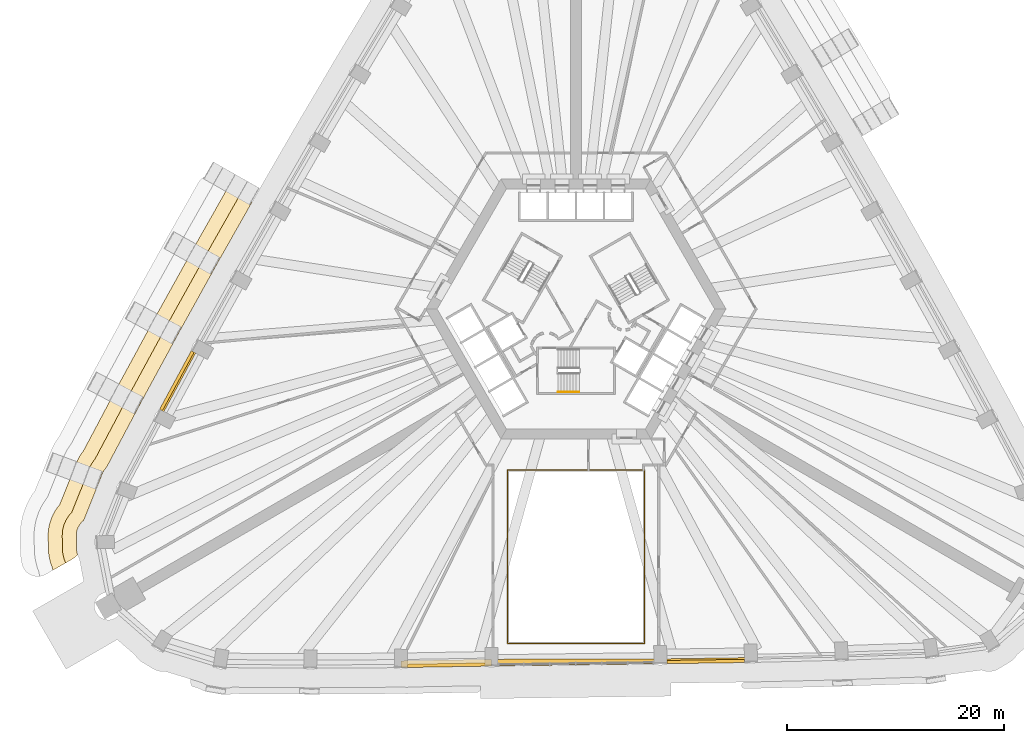
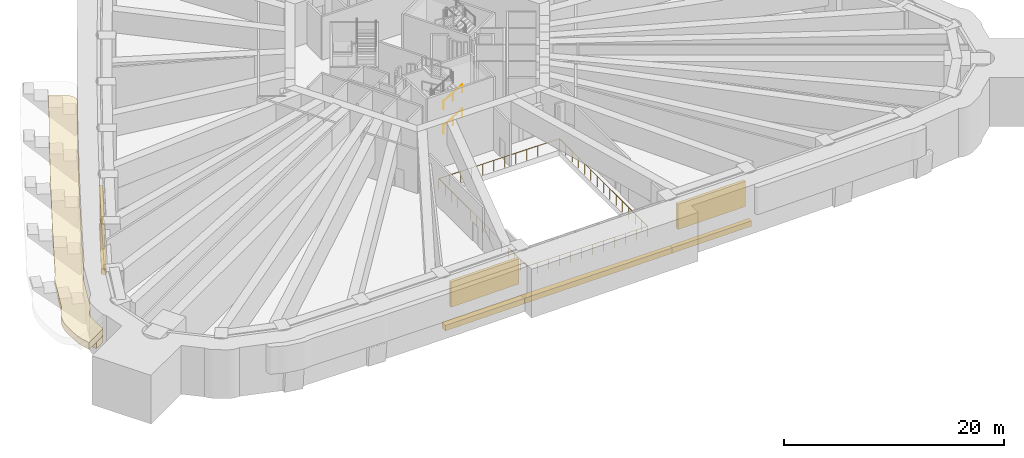
# One storey, part 15 of 21: 6 coverings, 3 railings, 3 shading devices.
"""IFC4 building model written with IfcOpenShell, lengths in metres."""

from ifc_helpers import new_model, si_unit, direction, frame, origin, origin_2d, place, context, subcontext, project, spatial, polyline, rectangle, circle, outline, extrude, material, layer, layer_set, type_object, element, save


model = new_model("IFC4")

# Units and contexts
model_context = context("Model", 3, precision=1e-05, world=origin(), true_north=direction((0.0, 1.0)))
body_context = subcontext(model_context, "Body", "Model", "MODEL_VIEW")
ifc_project = project(units=[si_unit("LENGTHUNIT", "METRE"), si_unit("AREAUNIT", "SQUARE_METRE"), si_unit("VOLUMEUNIT", "CUBIC_METRE"), si_unit("PLANEANGLEUNIT", "RADIAN"), si_unit("MASSUNIT", "GRAM", prefix="KILO")], contexts=[model_context])

# Site, building, storey
site_placement = place(None, origin())
site = spatial("IfcSite", under=ifc_project, at=site_placement, CompositionType="ELEMENT")
building_placement = place(site_placement, origin())
building = spatial("IfcBuilding", under=site, at=building_placement, Name="Entoto Arch Interchange Tower", CompositionType="ELEMENT")
storey_placement = place(building_placement, frame((0.0, 0.0, 81.199951171875)))
storey = spatial("IfcBuildingStorey", under=building, at=storey_placement, Name="L17", CompositionType="ELEMENT", Elevation=81.199951171875)

# Railing
ifc_material_1 = material(Name="Stainless steel 1.4301", Category="steel")
railing_type_1 = type_object("IfcRailingType", Name="ATRIUM GUARD 1200 STEEL AND GLASS", PredefinedType="GUARDRAIL", material=ifc_material_1)
railing_1_placement = place(storey_placement, frame((6.320068359375, -28.383056640625, 0.0)))
element("IfcRailing", 1, at=railing_1_placement, inside=storey, type_object=railing_type_1, Name="Atrium guard L17", PredefinedType="GUARDRAIL", context=body_context, shape_type="SweptSolid", body=[
    extrude(circle(Radius=0.02392578125, at=origin_2d()), frame((0.0, 0.0, 1.17578125), z_axis=(-1.0, 0.0, 0.0), x_axis=(0.0, -1.0, 0.0)), (0.0, 0.0, 1.0), 12.64013671875),
    extrude(circle(Radius=0.02392578125, at=origin_2d()), frame((-12.64013671875, 0.0, 1.17578125), z_axis=(0.0, 1.0, 0.0), x_axis=(-1.0, 0.0, 0.0)), (0.0, 0.0, 1.0), 16.003173828125),
    extrude(circle(Radius=0.02392578125, at=origin_2d()), frame((-12.64013671875, 16.003173828125, 1.17578125), z_axis=(1.0, 0.0, 0.0), x_axis=(0.0, 1.0, 0.0)), (0.0, 0.0, 1.0), 12.64013671875),
    extrude(circle(Radius=0.02392578125, at=origin_2d()), frame((0.0, 16.003173828125, 1.17578125), z_axis=(0.0, -1.0, 0.0), x_axis=(1.0, 0.0, 0.0)), (0.0, 0.0, 1.0), 16.003173828125),
    extrude(circle(Radius=0.02099609375, at=origin_2d()), origin(), (0.0, 0.0, 1.0), 1.15185546875),
    extrude(circle(Radius=0.02099609375, at=origin_2d()), frame((-1.149169921875, 0.0, 0.0)), (0.0, 0.0, 1.0), 1.15185546875),
    extrude(circle(Radius=0.02099609375, at=origin_2d()), frame((-2.298095703125, 0.0, 0.0)), (0.0, 0.0, 1.0), 1.15185546875),
    extrude(circle(Radius=0.02099609375, at=origin_2d()), frame((-3.447265625, 0.0, 0.0)), (0.0, 0.0, 1.0), 1.15185546875),
    extrude(circle(Radius=0.02099609375, at=origin_2d()), frame((-4.596435546875, 0.0, 0.0)), (0.0, 0.0, 1.0), 1.15185546875),
    extrude(circle(Radius=0.02099609375, at=origin_2d()), frame((-5.74560546875, 0.0, 0.0)), (0.0, 0.0, 1.0), 1.15185546875),
    extrude(circle(Radius=0.02099609375, at=origin_2d()), frame((-6.89453125, 0.0, 0.0)), (0.0, 0.0, 1.0), 1.15185546875),
    extrude(circle(Radius=0.02099609375, at=origin_2d()), frame((-8.043701171875, 0.0, 0.0)), (0.0, 0.0, 1.0), 1.15185546875),
    extrude(circle(Radius=0.02099609375, at=origin_2d()), frame((-9.19287109375, 0.0, 0.0)), (0.0, 0.0, 1.0), 1.15185546875),
    extrude(circle(Radius=0.02099609375, at=origin_2d()), frame((-10.342041015625, 0.0, 0.0)), (0.0, 0.0, 1.0), 1.15185546875),
    extrude(circle(Radius=0.02099609375, at=origin_2d()), frame((-11.490966796875, 0.0, 0.0)), (0.0, 0.0, 1.0), 1.15185546875),
    extrude(circle(Radius=0.02099609375, at=origin_2d()), frame((-12.64013671875, 0.0, 0.0)), (0.0, 0.0, 1.0), 1.15185546875),
    extrude(circle(Radius=0.02099609375, at=origin_2d()), frame((-12.64013671875, 1.14306640625, 0.0)), (0.0, 0.0, 1.0), 1.15185546875),
    extrude(circle(Radius=0.02099609375, at=origin_2d()), frame((-12.64013671875, 2.2861328125, 0.0)), (0.0, 0.0, 1.0), 1.15185546875),
    extrude(circle(Radius=0.02099609375, at=origin_2d()), frame((-12.64013671875, 3.42919921875, 0.0)), (0.0, 0.0, 1.0), 1.15185546875),
    extrude(circle(Radius=0.02099609375, at=origin_2d()), frame((-12.64013671875, 4.572265625, 0.0)), (0.0, 0.0, 1.0), 1.15185546875),
    extrude(circle(Radius=0.02099609375, at=origin_2d()), frame((-12.64013671875, 5.71533203125, 0.0)), (0.0, 0.0, 1.0), 1.15185546875),
    extrude(circle(Radius=0.02099609375, at=origin_2d()), frame((-12.64013671875, 6.8583984375, 0.0)), (0.0, 0.0, 1.0), 1.15185546875),
    extrude(circle(Radius=0.02099609375, at=origin_2d()), frame((-12.64013671875, 8.00146484375, 0.0)), (0.0, 0.0, 1.0), 1.15185546875),
    extrude(circle(Radius=0.02099609375, at=origin_2d()), frame((-12.64013671875, 9.144775390625, 0.0)), (0.0, 0.0, 1.0), 1.15185546875),
    extrude(circle(Radius=0.02099609375, at=origin_2d()), frame((-12.64013671875, 10.287841796875, 0.0)), (0.0, 0.0, 1.0), 1.15185546875),
    extrude(circle(Radius=0.02099609375, at=origin_2d()), frame((-12.64013671875, 11.430908203125, 0.0)), (0.0, 0.0, 1.0), 1.15185546875),
    extrude(circle(Radius=0.02099609375, at=origin_2d()), frame((-12.64013671875, 12.573974609375, 0.0)), (0.0, 0.0, 1.0), 1.15185546875),
    extrude(circle(Radius=0.02099609375, at=origin_2d()), frame((-12.64013671875, 13.717041015625, 0.0)), (0.0, 0.0, 1.0), 1.15185546875),
    extrude(circle(Radius=0.02099609375, at=origin_2d()), frame((-12.64013671875, 14.860107421875, 0.0)), (0.0, 0.0, 1.0), 1.15185546875),
    extrude(circle(Radius=0.02099609375, at=origin_2d()), frame((-12.64013671875, 16.003173828125, 0.0)), (0.0, 0.0, 1.0), 1.15185546875),
    extrude(circle(Radius=0.02099609375, at=origin_2d()), frame((-11.490966796875, 16.003173828125, 0.0)), (0.0, 0.0, 1.0), 1.15185546875),
    extrude(circle(Radius=0.02099609375, at=origin_2d()), frame((-10.342041015625, 16.003173828125, 0.0)), (0.0, 0.0, 1.0), 1.15185546875),
    extrude(circle(Radius=0.02099609375, at=origin_2d()), frame((-9.19287109375, 16.003173828125, 0.0)), (0.0, 0.0, 1.0), 1.15185546875),
    extrude(circle(Radius=0.02099609375, at=origin_2d()), frame((-8.043701171875, 16.003173828125, 0.0)), (0.0, 0.0, 1.0), 1.15185546875),
    extrude(circle(Radius=0.02099609375, at=origin_2d()), frame((-6.89453125, 16.003173828125, 0.0)), (0.0, 0.0, 1.0), 1.15185546875),
    extrude(circle(Radius=0.02099609375, at=origin_2d()), frame((-5.74560546875, 16.003173828125, 0.0)), (0.0, 0.0, 1.0), 1.15185546875),
    extrude(circle(Radius=0.02099609375, at=origin_2d()), frame((-4.596435546875, 16.003173828125, 0.0)), (0.0, 0.0, 1.0), 1.15185546875),
    extrude(circle(Radius=0.02099609375, at=origin_2d()), frame((-3.447265625, 16.003173828125, 0.0)), (0.0, 0.0, 1.0), 1.15185546875),
    extrude(circle(Radius=0.02099609375, at=origin_2d()), frame((-2.298095703125, 16.003173828125, 0.0)), (0.0, 0.0, 1.0), 1.15185546875),
    extrude(circle(Radius=0.02099609375, at=origin_2d()), frame((-1.149169921875, 16.003173828125, 0.0)), (0.0, 0.0, 1.0), 1.15185546875),
    extrude(circle(Radius=0.02099609375, at=origin_2d()), frame((0.0, 16.003173828125, 0.0)), (0.0, 0.0, 1.0), 1.15185546875),
    extrude(circle(Radius=0.02099609375, at=origin_2d()), frame((0.0, 14.860107421875, 0.0)), (0.0, 0.0, 1.0), 1.15185546875),
    extrude(circle(Radius=0.02099609375, at=origin_2d()), frame((0.0, 13.717041015625, 0.0)), (0.0, 0.0, 1.0), 1.15185546875),
    extrude(circle(Radius=0.02099609375, at=origin_2d()), frame((0.0, 12.573974609375, 0.0)), (0.0, 0.0, 1.0), 1.15185546875),
    extrude(circle(Radius=0.02099609375, at=origin_2d()), frame((0.0, 11.430908203125, 0.0)), (0.0, 0.0, 1.0), 1.15185546875),
    extrude(circle(Radius=0.02099609375, at=origin_2d()), frame((0.0, 10.287841796875, 0.0)), (0.0, 0.0, 1.0), 1.15185546875),
    extrude(circle(Radius=0.02099609375, at=origin_2d()), frame((0.0, 9.144775390625, 0.0)), (0.0, 0.0, 1.0), 1.15185546875),
    extrude(circle(Radius=0.02099609375, at=origin_2d()), frame((0.0, 8.00146484375, 0.0)), (0.0, 0.0, 1.0), 1.15185546875),
    extrude(circle(Radius=0.02099609375, at=origin_2d()), frame((0.0, 6.8583984375, 0.0)), (0.0, 0.0, 1.0), 1.15185546875),
    extrude(circle(Radius=0.02099609375, at=origin_2d()), frame((0.0, 5.71533203125, 0.0)), (0.0, 0.0, 1.0), 1.15185546875),
    extrude(circle(Radius=0.02099609375, at=origin_2d()), frame((0.0, 4.572265625, 0.0)), (0.0, 0.0, 1.0), 1.15185546875),
    extrude(circle(Radius=0.02099609375, at=origin_2d()), frame((0.0, 3.42919921875, 0.0)), (0.0, 0.0, 1.0), 1.15185546875),
    extrude(circle(Radius=0.02099609375, at=origin_2d()), frame((0.0, 2.2861328125, 0.0)), (0.0, 0.0, 1.0), 1.15185546875),
    extrude(circle(Radius=0.02099609375, at=origin_2d()), frame((0.0, 1.14306640625, 0.0)), (0.0, 0.0, 1.0), 1.15185546875),
])

# Shading devices
ifc_material_2 = material(Name="Aluminium, anodised", Category="aluminium")
ifc_layer = layer(ifc_material_2, 0.300048828125)
ifc_layer_set = layer_set([ifc_layer], Name="Aluminium, anodised")
shading_device_type = type_object("IfcShadingDeviceType", Name="PLANT LOUVRE ALUMINIUM", PredefinedType="JALOUSIE", material=ifc_layer_set)
shading_device_1_placement = place(storey_placement, frame((-11.98193359375, -30.39501953125, 1.2001953125), z_axis=(0.0, 0.0, 1.0), x_axis=(0.999847999606, 0.0174349558, 0.0)))
element("IfcShadingDevice", 2, at=shading_device_1_placement, inside=storey, type_object=shading_device_type, Name="Plant louvre S-03 L17", PredefinedType="JALOUSIE", context=body_context, shape_type="SweptSolid", body=[
    extrude(rectangle(XDim=7.169921875, YDim=0.300048828125, at=origin_2d()), origin(), (0.0, 0.0, 1.0), 2.800048828125),
])
shading_device_2_placement = place(storey_placement, frame((11.98291015625, -30.052978515625, 1.2001953125), z_axis=(0.0, 0.0, 1.0), x_axis=(0.999898834453, 0.014223953726, 0.0)))
element("IfcShadingDevice", 3, at=shading_device_2_placement, inside=storey, type_object=shading_device_type, Name="Plant louvre S-05 L17", PredefinedType="JALOUSIE", context=body_context, shape_type="SweptSolid", body=[
    extrude(rectangle(XDim=7.1708984375, YDim=0.300048828125, at=origin_2d()), origin(), (0.0, 0.0, 1.0), 2.800048828125),
])
shading_device_3_placement = place(storey_placement, frame((-36.84912109375, -4.1220703125, 1.2001953125), z_axis=(0.0, 0.0, 1.0), x_axis=(-0.476759916589, -0.879033549948, 0.0)))
element("IfcShadingDevice", 4, at=shading_device_3_placement, inside=storey, type_object=shading_device_type, Name="Plant louvre NW-08 L17", PredefinedType="JALOUSIE", context=body_context, shape_type="SweptSolid", body=[
    extrude(rectangle(XDim=6.135009765625, YDim=0.300048828125, at=origin_2d()), origin(), (0.0, 0.0, 1.0), 2.800048828125),
])

# Coverings
ifc_material_3 = material(Name="Board-marked precast concrete C50/60", Category="concrete")
covering_type_1 = type_object("IfcCoveringType", Name="PRECAST FRAME COURSE", PredefinedType="CLADDING", material=ifc_material_3)
covering_1_placement = place(storey_placement, frame((0.0, 0.0, 2.550048828125)))
element("IfcCovering", 5, at=covering_1_placement, inside=storey, type_object=covering_type_1, Name="Cantilever cornice nw-L17 3", PredefinedType="CLADDING", context=body_context, shape_type="SweptSolid", body=[
    extrude(outline(polyline([(-46.10107421875, -20.2919921875), (-46.205078125, -20.39111328125), (-46.31689453125, -20.47998046875), (-46.43798828125, -20.556884765625), (-47.4150390625, -21.12109375), (-48.298095703125, -21.631103515625), (-48.34912109375, -21.37109375), (-48.489013671875, -21.006103515625), (-48.60302734375, -20.589111328125), (-48.676025390625, -20.1640625), (-48.70703125, -19.73291015625), (-48.73388671875, -18.532958984375), (-48.722900390625, -18.10205078125), (-48.6689453125, -17.673095703125), (-48.573974609375, -17.251953125), (-48.43798828125, -16.842041015625), (-48.261962890625, -16.447998046875), (-48.048095703125, -16.072998046875), (-47.799072265625, -15.719970703125), (-47.672119140625, -15.573974609375), (-46.383056640625, -12.3720703125), (-46.195068359375, -11.864990234375), (-46.02392578125, -11.468017578125), (-45.81591796875, -11.090087890625), (-45.572021484375, -10.73388671875), (-45.506103515625, -10.655029296875), (-42.89794921875, -5.743896484375), (-42.89599609375, -5.739990234375), (-42.3330078125, -4.679931640625), (-42.31298828125, -4.64404296875), (-39.39208984375, 0.73193359375), (-39.383056640625, 0.7490234375), (-38.81005859375, 1.802978515625), (-38.7919921875, 1.833984375), (-35.827880859375, 7.175048828125), (-35.81298828125, 7.2041015625), (-35.22900390625, 8.2529296875), (-35.214111328125, 8.279052734375), (-32.2080078125, 13.5859375), (-32.18603515625, 13.6298828125), (-31.887939453125, 14.15087890625), (-30.6708984375, 13.4560546875), (-30.552978515625, 13.381103515625), (-30.44189453125, 13.294921875), (-30.340087890625, 13.199951171875), (-30.2470703125, 13.094970703125), (-30.1640625, 12.98193359375), (-30.092041015625, 12.862060546875), (-30.031982421875, 12.736083984375), (-29.98388671875, 12.60498046875), (-29.947998046875, 12.469970703125), (-29.927978515625, 12.35009765625), (-29.927001953125, 12.345947265625), (-29.908935546875, 12.373046875), (-29.927978515625, 12.341064453125), (-29.949951171875, 12.297119140625), (-32.951904296875, 6.9970703125), (-32.9580078125, 6.987060546875), (-33.5419921875, 5.93798828125), (-33.556884765625, 5.908935546875), (-36.51904296875, 0.572998046875), (-36.52587890625, 0.56005859375), (-37.10009765625, -0.493896484375), (-37.10791015625, -0.510986328125), (-40.029052734375, -5.885986328125), (-40.037109375, -5.89990234375), (-40.60009765625, -6.9599609375), (-40.60205078125, -6.964111328125), (-43.344970703125, -12.1298828125), (-43.388916015625, -12.173095703125), (-43.5029296875, -12.30810546875), (-43.60302734375, -12.4541015625), (-43.68798828125, -12.60791015625), (-43.757080078125, -12.77099609375), (-43.9580078125, -13.31005859375), (-45.4541015625, -17.027099609375), (-45.509033203125, -17.069091796875), (-45.636962890625, -17.18994140625), (-45.751953125, -17.323974609375), (-45.85400390625, -17.468017578125), (-45.94189453125, -17.6220703125), (-46.013916015625, -17.782958984375), (-46.069091796875, -17.950927734375), (-46.10791015625, -18.123046875), (-46.1298828125, -18.298095703125), (-46.135009765625, -18.47509765625), (-46.10791015625, -19.674072265625), (-46.094970703125, -19.85107421875), (-46.06591796875, -20.02490234375), (-46.01904296875, -20.195068359375), (-46.006103515625, -20.22900390625), (-46.01904296875, -20.197998046875), (-46.028076171875, -20.2080078125), (-46.10107421875, -20.2919921875)])), origin(), (0.0, 0.0, 1.0), 0.75),
])
covering_2_placement = place(storey_placement, frame((0.0, 0.0, 1.800048828125)))
element("IfcCovering", 6, at=covering_2_placement, inside=storey, type_object=covering_type_1, Name="Cantilever cornice nw-L17 4", PredefinedType="CLADDING", context=body_context, shape_type="SweptSolid", body=[
    extrude(outline(polyline([(-46.10107421875, -20.2919921875), (-46.205078125, -20.39111328125), (-46.31689453125, -20.47998046875), (-46.43798828125, -20.556884765625), (-47.114013671875, -20.947021484375), (-47.14501953125, -20.884033203125), (-47.25390625, -20.60009765625), (-47.333984375, -20.306884765625), (-47.385986328125, -20.007080078125), (-47.407958984375, -19.7041015625), (-47.43505859375, -18.50390625), (-47.427001953125, -18.199951171875), (-47.388916015625, -17.89794921875), (-47.322021484375, -17.60107421875), (-47.22607421875, -17.31298828125), (-47.10205078125, -17.034912109375), (-46.950927734375, -16.77001953125), (-46.77587890625, -16.52197265625), (-46.575927734375, -16.2919921875), (-46.550048828125, -16.26708984375), (-45.169921875, -12.841064453125), (-44.97607421875, -12.318115234375), (-44.85595703125, -12.0380859375), (-44.708984375, -11.77197265625), (-44.537109375, -11.52099609375), (-44.4189453125, -11.3798828125), (-41.75, -6.35400390625), (-41.748046875, -6.35009765625), (-41.18505859375, -5.2900390625), (-41.1708984375, -5.264892578125), (-38.25, 0.110107421875), (-38.241943359375, 0.126953125), (-37.66796875, 1.180908203125), (-37.656005859375, 1.202880859375), (-34.69189453125, 6.5419921875), (-34.677978515625, 6.571044921875), (-34.093994140625, 7.6201171875), (-34.0830078125, 7.637939453125), (-31.0791015625, 12.94091796875), (-31.056884765625, 12.985107421875), (-30.759033203125, 13.507080078125), (-30.6708984375, 13.4560546875), (-30.552978515625, 13.381103515625), (-30.44189453125, 13.294921875), (-30.340087890625, 13.199951171875), (-30.2470703125, 13.094970703125), (-30.1640625, 12.98193359375), (-30.092041015625, 12.862060546875), (-30.031982421875, 12.736083984375), (-29.98388671875, 12.60498046875), (-29.947998046875, 12.469970703125), (-29.927978515625, 12.35009765625), (-29.927001953125, 12.345947265625), (-29.908935546875, 12.373046875), (-29.927978515625, 12.341064453125), (-29.949951171875, 12.297119140625), (-32.951904296875, 6.9970703125), (-32.9580078125, 6.987060546875), (-33.5419921875, 5.93798828125), (-33.556884765625, 5.908935546875), (-36.51904296875, 0.572998046875), (-36.52587890625, 0.56005859375), (-37.10009765625, -0.493896484375), (-37.10791015625, -0.510986328125), (-40.029052734375, -5.885986328125), (-40.037109375, -5.89990234375), (-40.60009765625, -6.9599609375), (-40.60205078125, -6.964111328125), (-43.344970703125, -12.1298828125), (-43.388916015625, -12.173095703125), (-43.5029296875, -12.30810546875), (-43.60302734375, -12.4541015625), (-43.68798828125, -12.60791015625), (-43.757080078125, -12.77099609375), (-43.9580078125, -13.31005859375), (-45.4541015625, -17.027099609375), (-45.509033203125, -17.069091796875), (-45.636962890625, -17.18994140625), (-45.751953125, -17.323974609375), (-45.85400390625, -17.468017578125), (-45.94189453125, -17.6220703125), (-46.013916015625, -17.782958984375), (-46.069091796875, -17.950927734375), (-46.10791015625, -18.123046875), (-46.1298828125, -18.298095703125), (-46.135009765625, -18.47509765625), (-46.10791015625, -19.674072265625), (-46.094970703125, -19.85107421875), (-46.06591796875, -20.02490234375), (-46.01904296875, -20.195068359375), (-46.006103515625, -20.22900390625), (-46.01904296875, -20.197998046875), (-46.028076171875, -20.2080078125), (-46.10107421875, -20.2919921875)])), origin(), (0.0, 0.0, 1.0), 0.75),
])
covering_type_2 = type_object("IfcCoveringType", Name="PRECAST LEDGE COURSE", PredefinedType="CLADDING", material=ifc_material_3)
covering_3_placement = place(storey_placement, frame((0.0, 0.0, -1.199951171875)))
element("IfcCovering", 7, at=covering_3_placement, inside=storey, type_object=covering_type_2, Name="Precast course S-03 L17", PredefinedType="CLADDING", context=body_context, shape_type="SweptSolid", body=[
    extrude(outline(polyline([(-7.800048828125, -29.845947265625), (-7.800048828125, -30.472900390625), (-16.169921875, -30.618896484375), (-16.169921875, -29.987060546875), (-7.800048828125, -29.845947265625)])), origin(), (0.0, 0.0, 1.0), 0.60009765625),
])
covering_4_placement = place(storey_placement, frame((0.0, 0.0, -1.199951171875)))
element("IfcCovering", 8, at=covering_4_placement, inside=storey, type_object=covering_type_2, Name="Precast course S-04 L17", PredefinedType="CLADDING", context=body_context, shape_type="SweptSolid", body=[
    extrude(outline(polyline([(7.800048828125, -29.81201171875), (7.800048828125, -30.262939453125), (-7.800048828125, -30.472900390625), (-7.800048828125, -29.845947265625), (7.800048828125, -29.81201171875)])), origin(), (0.0, 0.0, 1.0), 0.60009765625),
])
covering_5_placement = place(storey_placement, frame((0.0, 0.0, -1.199951171875)))
element("IfcCovering", 9, at=covering_5_placement, inside=storey, type_object=covering_type_2, Name="Precast course S-05 L17", PredefinedType="CLADDING", context=body_context, shape_type="SweptSolid", body=[
    extrude(outline(polyline([(16.169921875, -29.68701171875), (16.169921875, -30.14306640625), (7.800048828125, -30.262939453125), (7.800048828125, -29.81201171875), (16.169921875, -29.68701171875)])), origin(), (0.0, 0.0, 1.0), 0.60009765625),
])
covering_6_placement = place(storey_placement, frame((0.0, 0.0, -1.199951171875)))
element("IfcCovering", 10, at=covering_6_placement, inside=storey, type_object=covering_type_2, Name="Precast course NW-08 L17", PredefinedType="CLADDING", context=body_context, shape_type="SweptSolid", body=[
    extrude(outline(polyline([(-38.321044921875, -7.491943359375), (-38.72900390625, -7.27490234375), (-35.23193359375, -0.827880859375), (-34.8310546875, -1.047119140625), (-38.321044921875, -7.491943359375)])), origin(), (0.0, 0.0, 1.0), 0.60009765625),
])

# Railings
railing_type_2 = type_object("IfcRailingType", Name="STAIR HANDRAIL 900 STEEL", PredefinedType="HANDRAIL", material=ifc_material_1)
railing_2_placement = place(storey_placement, frame((-1.64990234375, -5.14990234375, 0.168701171875)))
element("IfcRailing", 11, at=railing_2_placement, inside=storey, type_object=railing_type_2, Name="L17 ST-S stair handrail 1", PredefinedType="HANDRAIL", context=body_context, shape_type="SweptSolid", body=[
    extrude(circle(Radius=0.02392578125, at=origin_2d()), frame((0.0, 0.0, 0.8759765625), z_axis=(0.856446297458, 0.0, 0.516236127728), x_axis=(0.0, 1.0, 0.0)), (0.0, 0.0, 1.0), 2.28857421875),
    extrude(circle(Radius=0.02099609375, at=origin_2d()), origin(), (0.0, 0.0, 1.0), 0.851806640625),
    extrude(circle(Radius=0.02099609375, at=origin_2d()), frame((0.97998046875, 0.0, 0.5908203125)), (0.0, 0.0, 1.0), 0.851806640625),
    extrude(circle(Radius=0.02099609375, at=origin_2d()), frame((1.9599609375, 0.0, 1.181396484375)), (0.0, 0.0, 1.0), 0.851806640625),
])
railing_3_placement = place(storey_placement, frame((-1.64990234375, -5.14990234375, 2.868896484375)))
element("IfcRailing", 12, at=railing_3_placement, inside=storey, type_object=railing_type_2, Name="L17 ST-S stair handrail 3", PredefinedType="HANDRAIL", context=body_context, shape_type="SweptSolid", body=[
    extrude(circle(Radius=0.02392578125, at=origin_2d()), frame((0.0, 0.0, 0.8759765625), z_axis=(0.856493463811, 0.0, 0.516157869696), x_axis=(0.0, 1.0, 0.0)), (0.0, 0.0, 1.0), 2.288330078125),
    extrude(circle(Radius=0.02099609375, at=origin_2d()), origin(), (0.0, 0.0, 1.0), 0.851806640625),
    extrude(circle(Radius=0.02099609375, at=origin_2d()), frame((0.97998046875, 0.0, 0.590576171875)), (0.0, 0.0, 1.0), 0.851806640625),
    extrude(circle(Radius=0.02099609375, at=origin_2d()), frame((1.9599609375, 0.0, 1.18115234375)), (0.0, 0.0, 1.0), 0.851806640625),
])

save(model, "model.ifc")
